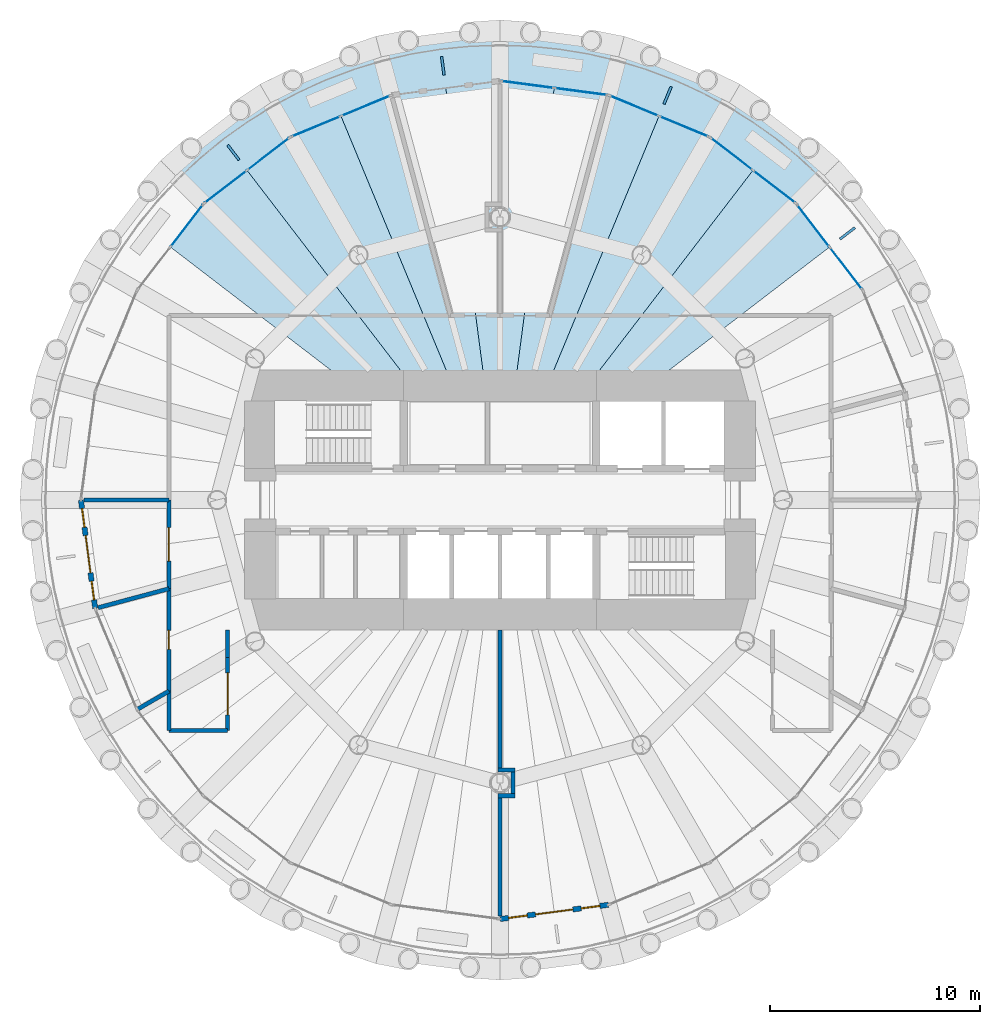
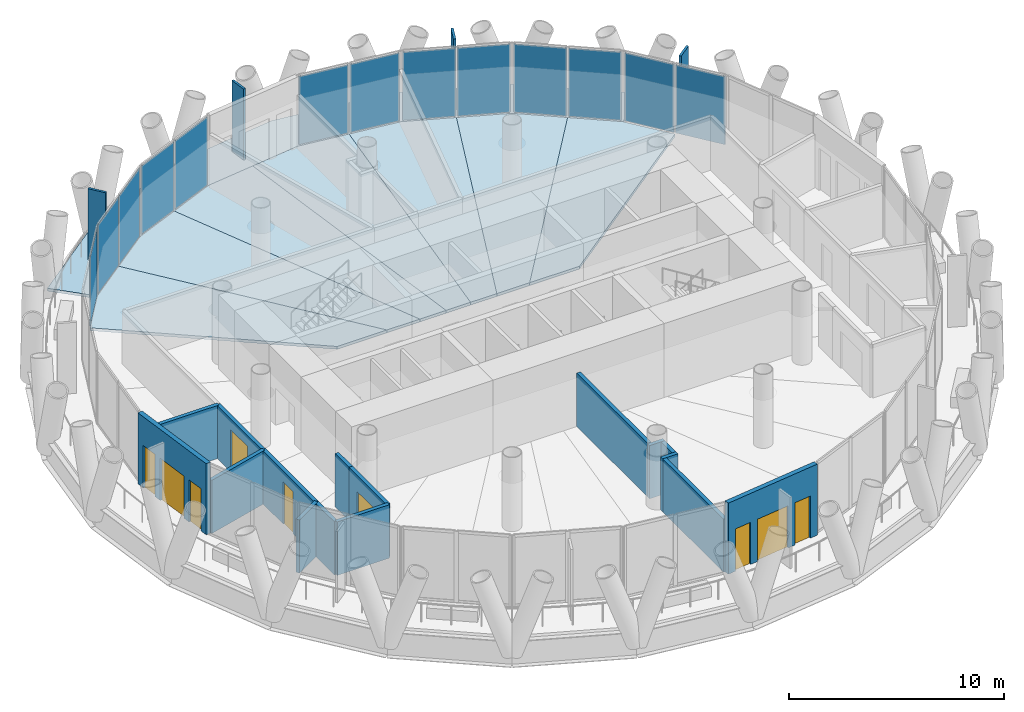
# One storey, part 8 of 13: 17 plates, 16 walls, 8 slabs, 5 doors, 4 windows, 9 openings, 7 elements without a shape of their own.
"""IFC4 building model written with IfcOpenShell, lengths in metres."""

from ifc_helpers import new_model, si_unit, direction, frame, frame_2d, origin, origin_2d, place, context, subcontext, project, spatial, polyline, rectangle, outline, extrude, material, layer, layer_set, type_object, element, fill, aggregate, save


model = new_model("IFC4")

# Units and contexts
model_context = context("Model", 3, precision=1e-05, world=origin(), true_north=direction((0.0, 1.0)))
body_context = subcontext(model_context, "Body", "Model", "MODEL_VIEW")
ifc_project = project(units=[si_unit("LENGTHUNIT", "METRE"), si_unit("AREAUNIT", "SQUARE_METRE"), si_unit("VOLUMEUNIT", "CUBIC_METRE"), si_unit("PLANEANGLEUNIT", "RADIAN"), si_unit("MASSUNIT", "GRAM", prefix="KILO")], contexts=[model_context])

# Site, building, storey
site_placement = place(None, origin())
site = spatial("IfcSite", under=ifc_project, at=site_placement, CompositionType="ELEMENT")
building_placement = place(site_placement, origin())
building = spatial("IfcBuilding", under=site, at=building_placement, Name="Qaws Media Tower", CompositionType="ELEMENT")
storey_placement = place(building_placement, frame((0.0, 0.0, 244.39990234375)))
storey = spatial("IfcBuildingStorey", under=building, at=storey_placement, Name="L56", CompositionType="ELEMENT", Elevation=244.39990234375)

# Slabs
ifc_material_1 = material(Name="Concrete C35/45", Category="concrete")
ifc_layer_1 = layer(ifc_material_1, 0.159912109375)
ifc_layer_set_1 = layer_set([ifc_layer_1], Name="Composite balcony slab 160")
slab_type_1 = type_object("IfcSlabType", Name="Composite balcony slab 160", PredefinedType="FLOOR", material=ifc_layer_set_1)
slab_1_placement = place(storey_placement, frame((0.0, 0.0, -0.159912109375)))
element("IfcSlab", 1, at=slab_1_placement, inside=storey, type_object=slab_type_1, Name="S2 balcony slab L56 R04 to R10, movement joints on R04 and R10", PredefinedType="FLOOR", context=body_context, shape_type="SweptSolid", body=[
    extrude(outline(polyline([(48.800048828125, 69.39892578125), (54.202392578125, 71.63671875), (60.0, 72.39990234375), (65.797607421875, 71.63671875), (71.199951171875, 69.39892578125), (75.839111328125, 65.839111328125), (74.14208984375, 64.14208984375), (70.0, 67.320556640625), (65.176513671875, 69.318603515625), (60.0, 70.0), (54.823486328125, 69.318603515625), (50.0, 67.320556640625), (45.85791015625, 64.14208984375), (44.160888671875, 65.839111328125), (48.800048828125, 69.39892578125)])), origin(), (0.0, 0.0, 1.0), 0.159912109375),
])
ifc_material_2 = material(Name="Concrete C35/45", Category="concrete")
ifc_layer_2 = layer(ifc_material_2, 0.159912109375)
ifc_layer_set_2 = layer_set([ifc_layer_2], Name="Composite floor slab 160")
slab_type_2 = type_object("IfcSlabType", Name="Composite floor slab 160", PredefinedType="FLOOR", material=ifc_layer_set_2)
slab_2_placement = place(storey_placement, frame((0.0, 0.0, -0.159912109375)))
element("IfcSlab", 2, at=slab_2_placement, inside=storey, type_object=slab_type_2, Name="S1 floor panel L56 on R04", PredefinedType="FLOOR", context=body_context, shape_type="SweptSolid", body=[
    extrude(outline(polyline([(74.14208984375, 64.14208984375), (75.731201171875, 62.071044921875), (66.51611328125, 55.0), (63.836669921875, 55.0), (72.071044921875, 65.731201171875), (74.14208984375, 64.14208984375)])), origin(), (0.0, 0.0, 1.0), 0.159912109375),
])
slab_3_placement = place(storey_placement, frame((0.0, 0.0, -0.159912109375)))
element("IfcSlab", 3, at=slab_3_placement, inside=storey, type_object=slab_type_2, Name="S1 floor panel L56 on R05", PredefinedType="FLOOR", context=body_context, shape_type="SweptSolid", body=[
    extrude(outline(polyline([(70.0, 67.320556640625), (72.071044921875, 65.731201171875), (63.836669921875, 55.0), (62.071044921875, 55.0), (67.588134765625, 68.319580078125), (70.0, 67.320556640625)])), origin(), (0.0, 0.0, 1.0), 0.159912109375),
])
slab_4_placement = place(storey_placement, frame((0.0, 0.0, -0.159912109375)))
element("IfcSlab", 4, at=slab_4_placement, inside=storey, type_object=slab_type_2, Name="S1 floor panel L56 on R06", PredefinedType="FLOOR", context=body_context, shape_type="SweptSolid", body=[
    extrude(outline(polyline([(65.176513671875, 69.318603515625), (67.588134765625, 68.319580078125), (62.071044921875, 55.0), (60.658203125, 55.0), (62.588134765625, 69.6591796875), (65.176513671875, 69.318603515625)])), origin(), (0.0, 0.0, 1.0), 0.159912109375),
])
slab_5_placement = place(storey_placement, frame((0.0, 0.0, -0.159912109375)))
element("IfcSlab", 5, at=slab_5_placement, inside=storey, type_object=slab_type_2, Name="S1 floor panel L56 on R07", PredefinedType="FLOOR", context=body_context, shape_type="SweptSolid", body=[
    extrude(outline(polyline([(60.0, 70.0), (62.588134765625, 69.6591796875), (60.658203125, 55.0), (59.341796875, 55.0), (57.411865234375, 69.6591796875), (60.0, 70.0)])), origin(), (0.0, 0.0, 1.0), 0.159912109375),
])
slab_6_placement = place(storey_placement, frame((0.0, 0.0, -0.159912109375)))
element("IfcSlab", 6, at=slab_6_placement, inside=storey, type_object=slab_type_2, Name="S1 floor panel L56 on R08", PredefinedType="FLOOR", context=body_context, shape_type="SweptSolid", body=[
    extrude(outline(polyline([(54.823486328125, 69.318603515625), (57.411865234375, 69.6591796875), (59.341796875, 55.0), (57.928955078125, 55.0), (52.411865234375, 68.319580078125), (54.823486328125, 69.318603515625)])), origin(), (0.0, 0.0, 1.0), 0.159912109375),
])
slab_7_placement = place(storey_placement, frame((0.0, 0.0, -0.159912109375)))
element("IfcSlab", 7, at=slab_7_placement, inside=storey, type_object=slab_type_2, Name="S1 floor panel L56 on R09", PredefinedType="FLOOR", context=body_context, shape_type="SweptSolid", body=[
    extrude(outline(polyline([(50.0, 67.320556640625), (52.411865234375, 68.319580078125), (57.928955078125, 55.0), (56.163330078125, 55.0), (47.928955078125, 65.731201171875), (50.0, 67.320556640625)])), origin(), (0.0, 0.0, 1.0), 0.159912109375),
])
slab_8_placement = place(storey_placement, frame((0.0, 0.0, -0.159912109375)))
element("IfcSlab", 8, at=slab_8_placement, inside=storey, type_object=slab_type_2, Name="S1 floor panel L56 on R10", PredefinedType="FLOOR", context=body_context, shape_type="SweptSolid", body=[
    extrude(outline(polyline([(45.85791015625, 64.14208984375), (47.928955078125, 65.731201171875), (56.163330078125, 55.0), (53.48388671875, 55.0), (44.268798828125, 62.071044921875), (45.85791015625, 64.14208984375)])), origin(), (0.0, 0.0, 1.0), 0.159912109375),
])

# Curtain wall, plates
ifc_material_3 = material(Name="Aluminium and clear glass", Category="aluminium")
curtain_wall_type = type_object("IfcCurtainWallType", Name="Unitised curtain wall CW-C", PredefinedType="NOTDEFINED", material=ifc_material_3)
curtain_wall_1_placement = place(storey_placement, origin())
curtain_wall_1 = element("IfcCurtainWall", 9, at=curtain_wall_1_placement, inside=storey, type_object=curtain_wall_type, Name="CWC curtain wall L56-03", PredefinedType="NOTDEFINED")
ifc_material_4 = material(Name="Clear laminated double glazing", Category="glass")
ifc_layer_3 = layer(ifc_material_4, 0.031982421875)
ifc_layer_set_3 = layer_set([ifc_layer_3], Name="Curtain wall glass unit 32")
plate_type_1 = type_object("IfcPlateType", Name="Curtain wall glass unit 32", PredefinedType="CURTAIN_PANEL", material=ifc_layer_set_3)
plate_1_placement = place(storey_placement, frame((76.513671875, 61.051513671875, 0.080078125), z_axis=(0.0, 0.0, 1.0), x_axis=(-0.608761339712, 0.793353408811, 0.0)))
plate_1 = element("IfcPlate", 10, at=plate_1_placement, type_object=plate_type_1, Name="CWC panel 1.1", PredefinedType="CURTAIN_PANEL", context=body_context, shape_type="SweptSolid", body=[
    extrude(rectangle(XDim=2.490478515625, YDim=0.031982421875, at=origin_2d()), origin(), (0.0, 0.0, 1.0), 3.8798828125),
])
plate_2_placement = place(storey_placement, frame((74.948974609375, 63.0908203125, 0.080078125), z_axis=(0.0, 0.0, 1.0), x_axis=(-0.608761339712, 0.793353408811, 0.0)))
plate_2 = element("IfcPlate", 11, at=plate_2_placement, type_object=plate_type_1, Name="CWC panel 2.1", PredefinedType="CURTAIN_PANEL", context=body_context, shape_type="SweptSolid", body=[
    extrude(rectangle(XDim=2.490478515625, YDim=0.031982421875, at=origin_2d()), origin(), (0.0, 0.0, 1.0), 3.8798828125),
])
aggregate(curtain_wall_1, [plate_1, plate_2])

curtain_wall_2_placement = place(storey_placement, origin())
curtain_wall_2 = element("IfcCurtainWall", 12, at=curtain_wall_2_placement, inside=storey, type_object=curtain_wall_type, Name="CWC curtain wall L56-04", PredefinedType="NOTDEFINED")
plate_3_placement = place(storey_placement, frame((73.0908203125, 64.948974609375, 0.080078125), z_axis=(0.0, 0.0, 1.0), x_axis=(-0.793353408811, 0.608761339712, 0.0)))
plate_3 = element("IfcPlate", 13, at=plate_3_placement, type_object=plate_type_1, Name="CWC panel 1.1", PredefinedType="CURTAIN_PANEL", context=body_context, shape_type="SweptSolid", body=[
    extrude(rectangle(XDim=2.490478515625, YDim=0.031982421875, at=origin_2d()), origin(), (0.0, 0.0, 1.0), 3.8798828125),
])
plate_4_placement = place(storey_placement, frame((71.051513671875, 66.513671875, 0.080078125), z_axis=(0.0, 0.0, 1.0), x_axis=(-0.793353408811, 0.608761339712, 0.0)))
plate_4 = element("IfcPlate", 14, at=plate_4_placement, type_object=plate_type_1, Name="CWC panel 2.1", PredefinedType="CURTAIN_PANEL", context=body_context, shape_type="SweptSolid", body=[
    extrude(rectangle(XDim=2.490478515625, YDim=0.031982421875, at=origin_2d()), origin(), (0.0, 0.0, 1.0), 3.8798828125),
])
aggregate(curtain_wall_2, [plate_3, plate_4])

curtain_wall_3_placement = place(storey_placement, origin())
curtain_wall_3 = element("IfcCurtainWall", 15, at=curtain_wall_3_placement, inside=storey, type_object=curtain_wall_type, Name="CWC curtain wall L56-05", PredefinedType="NOTDEFINED")
plate_5_placement = place(storey_placement, frame((68.775634765625, 67.82763671875, 0.080078125), z_axis=(0.0, 0.0, 1.0), x_axis=(-0.923879492524, 0.382683528904, 0.0)))
plate_5 = element("IfcPlate", 16, at=plate_5_placement, type_object=plate_type_1, Name="CWC panel 1.1", PredefinedType="CURTAIN_PANEL", context=body_context, shape_type="SweptSolid", body=[
    extrude(rectangle(XDim=2.490478515625, YDim=0.031982421875, at=origin_2d()), origin(), (0.0, 0.0, 1.0), 3.8798828125),
])
plate_6_placement = place(storey_placement, frame((66.40087890625, 68.811279296875, 0.080078125), z_axis=(0.0, 0.0, 1.0), x_axis=(-0.923879492524, 0.382683528904, 0.0)))
plate_6 = element("IfcPlate", 17, at=plate_6_placement, type_object=plate_type_1, Name="CWC panel 2.1", PredefinedType="CURTAIN_PANEL", context=body_context, shape_type="SweptSolid", body=[
    extrude(rectangle(XDim=2.490478515625, YDim=0.031982421875, at=origin_2d()), origin(), (0.0, 0.0, 1.0), 3.8798828125),
])
aggregate(curtain_wall_3, [plate_5, plate_6])

curtain_wall_4_placement = place(storey_placement, origin())
curtain_wall_4 = element("IfcCurtainWall", 18, at=curtain_wall_4_placement, inside=storey, type_object=curtain_wall_type, Name="CWC curtain wall L56-06", PredefinedType="NOTDEFINED")
plate_7_placement = place(storey_placement, frame((63.862548828125, 69.491455078125, 0.080078125), z_axis=(0.0, 0.0, 1.0), x_axis=(-0.991444873448, 0.130526100509, 0.0)))
plate_7 = element("IfcPlate", 19, at=plate_7_placement, type_object=plate_type_1, Name="CWC panel 1.1", PredefinedType="CURTAIN_PANEL", context=body_context, shape_type="SweptSolid", body=[
    extrude(rectangle(XDim=2.490478515625, YDim=0.031982421875, at=origin_2d()), origin(), (0.0, 0.0, 1.0), 3.8798828125),
])
plate_8_placement = place(storey_placement, frame((61.31396484375, 69.826904296875, 0.080078125), z_axis=(0.0, 0.0, 1.0), x_axis=(-0.991444873448, 0.130526100509, 0.0)))
plate_8 = element("IfcPlate", 20, at=plate_8_placement, type_object=plate_type_1, Name="CWC panel 2.1", PredefinedType="CURTAIN_PANEL", context=body_context, shape_type="SweptSolid", body=[
    extrude(rectangle(XDim=2.490478515625, YDim=0.031982421875, at=origin_2d()), origin(), (0.0, 0.0, 1.0), 3.8798828125),
])
aggregate(curtain_wall_4, [plate_7, plate_8])

curtain_wall_5_placement = place(storey_placement, origin())
curtain_wall_5 = element("IfcCurtainWall", 21, at=curtain_wall_5_placement, inside=storey, type_object=curtain_wall_type, Name="CWC curtain wall L56-08", PredefinedType="NOTDEFINED")
plate_9_placement = place(storey_placement, frame((53.59912109375, 68.811279296875, 0.080078125), z_axis=(0.0, 0.0, 1.0), x_axis=(-0.923879492524, -0.382683528904, 0.0)))
plate_9 = element("IfcPlate", 22, at=plate_9_placement, type_object=plate_type_1, Name="CWC panel 1.1", PredefinedType="CURTAIN_PANEL", context=body_context, shape_type="SweptSolid", body=[
    extrude(rectangle(XDim=2.490478515625, YDim=0.031982421875, at=origin_2d()), origin(), (0.0, 0.0, 1.0), 3.8798828125),
])
plate_10_placement = place(storey_placement, frame((51.224365234375, 67.82763671875, 0.080078125), z_axis=(0.0, 0.0, 1.0), x_axis=(-0.923879492524, -0.382683528904, 0.0)))
plate_10 = element("IfcPlate", 23, at=plate_10_placement, type_object=plate_type_1, Name="CWC panel 2.1", PredefinedType="CURTAIN_PANEL", context=body_context, shape_type="SweptSolid", body=[
    extrude(rectangle(XDim=2.490478515625, YDim=0.031982421875, at=origin_2d()), origin(), (0.0, 0.0, 1.0), 3.8798828125),
])
aggregate(curtain_wall_5, [plate_9, plate_10])

curtain_wall_6_placement = place(storey_placement, origin())
curtain_wall_6 = element("IfcCurtainWall", 24, at=curtain_wall_6_placement, inside=storey, type_object=curtain_wall_type, Name="CWC curtain wall L56-09", PredefinedType="NOTDEFINED")
plate_11_placement = place(storey_placement, frame((48.948486328125, 66.513671875, 0.080078125), z_axis=(0.0, 0.0, 1.0), x_axis=(-0.793353408811, -0.608761339712, 0.0)))
plate_11 = element("IfcPlate", 25, at=plate_11_placement, type_object=plate_type_1, Name="CWC panel 1.1", PredefinedType="CURTAIN_PANEL", context=body_context, shape_type="SweptSolid", body=[
    extrude(rectangle(XDim=2.490478515625, YDim=0.031982421875, at=origin_2d()), origin(), (0.0, 0.0, 1.0), 3.8798828125),
])
plate_12_placement = place(storey_placement, frame((46.9091796875, 64.948974609375, 0.080078125), z_axis=(0.0, 0.0, 1.0), x_axis=(-0.793353408811, -0.608761339712, 0.0)))
plate_12 = element("IfcPlate", 26, at=plate_12_placement, type_object=plate_type_1, Name="CWC panel 2.1", PredefinedType="CURTAIN_PANEL", context=body_context, shape_type="SweptSolid", body=[
    extrude(rectangle(XDim=2.490478515625, YDim=0.031982421875, at=origin_2d()), origin(), (0.0, 0.0, 1.0), 3.8798828125),
])
aggregate(curtain_wall_6, [plate_11, plate_12])

# Curtain wall, plate
curtain_wall_7_placement = place(storey_placement, origin())
curtain_wall_7 = element("IfcCurtainWall", 27, at=curtain_wall_7_placement, inside=storey, type_object=curtain_wall_type, Name="CWC curtain wall L56-10", PredefinedType="NOTDEFINED")
plate_13_placement = place(storey_placement, frame((45.051025390625, 63.0908203125, 0.080078125), z_axis=(0.0, 0.0, 1.0), x_axis=(-0.608761339712, -0.793353408811, 0.0)))
plate_13 = element("IfcPlate", 28, at=plate_13_placement, type_object=plate_type_1, Name="CWC panel 1.1", PredefinedType="CURTAIN_PANEL", context=body_context, shape_type="SweptSolid", body=[
    extrude(rectangle(XDim=2.490478515625, YDim=0.031982421875, at=origin_2d()), origin(), (0.0, 0.0, 1.0), 3.8798828125),
])
aggregate(curtain_wall_7, [plate_13])

# Plates
ifc_material_5 = material(Name="Precast concrete screen fin", Category="concrete")
ifc_layer_4 = layer(ifc_material_5, 0.1201171875)
ifc_layer_set_4 = layer_set([ifc_layer_4], Name="Screen fin 120x900")
plate_type_2 = type_object("IfcPlateType", Name="Screen fin 120x900", PredefinedType="USERDEFINED", material=ifc_layer_set_4)
for number, where, z_axis, x_axis, name in (
    (29, (76.5810546875, 62.72314453125, 0.0), (0.0, 0.0, 1.0), (0.793353340291, 0.608761429009, 0.0), "SCR1 screen fin L56-02"),
    (30, (67.998046875, 69.30908203125, 0.0), (0.0, 0.0, 1.0), (0.382683432365, 0.923879532511, 0.0), "SCR1 screen fin L56-03"),
    (31, (57.27197265625, 70.72119140625, 0.0), (0.0, 0.0, 1.0), (-0.13052619222, 0.991444861374, 0.0), "SCR1 screen fin L56-04"),
    (32, (47.27685546875, 66.5810546875, 0.0), (0.0, 0.0, 1.0), (-0.608761429009, 0.793353340291, 0.0), "SCR1 screen fin L56-05"),
):
    element("IfcPlate", number, at=place(storey_placement, frame(where, z_axis=z_axis, x_axis=x_axis)), inside=storey, type_object=plate_type_2, Name=name, ObjectType="SCREEN", PredefinedType="USERDEFINED", context=body_context, shape_type="SweptSolid", body=[
        extrude(rectangle(XDim=0.89990234375, YDim=0.1201171875, at=origin_2d()), origin(), (0.0, 0.0, 1.0), 4.0400390625),
    ])

# Wall, openings, door, windows
ifc_material_6 = material(Name="Precast concrete, exposed finish", Category="concrete")
ifc_layer_5 = layer(ifc_material_6, 0.25)
ifc_layer_set_5 = layer_set([ifc_layer_5], Name="Balcony door wall 250")
wall_type_1 = type_object("IfcWallType", Name="Balcony door wall 250", PredefinedType="SOLIDWALL", material=ifc_layer_set_5)
wall_1_placement = place(storey_placement, frame((40.0, 50.0, 0.0), z_axis=(0.0, 0.0, 1.0), x_axis=(0.130512574825, -0.991446654043, 0.0)))
wall_1 = element("IfcWall", 33, at=wall_1_placement, inside=storey, type_object=wall_type_1, Name="W260 EW1 balcony door wall L56-13", PredefinedType="SOLIDWALL", context=body_context, shape_type="SweptSolid", body=[
    extrude(rectangle(XDim=5.220947265625, YDim=0.25, at=frame_2d((2.6103515625, 0.0))), origin(), (0.0, 0.0, 1.0), 4.0400390625),
])
opening_1_placement = place(wall_1_placement, frame((1.71044921875, 0.0, 0.0)))
opening_1 = element("IfcOpeningElement", 34, at=opening_1_placement, cuts=wall_1, Name="Opening D7", PredefinedType="OPENING", context=body_context, shape_type="SweptSolid", body=[
    extrude(rectangle(XDim=1.800048828125, YDim=2.39990234375, at=frame_2d((0.89990234375, 1.199951171875))), frame((0.0, 0.135009765625, 0.0), z_axis=(0.0, -1.0, 0.0), x_axis=(1.0, 0.0, 0.0)), (0.0, 0.0, 1.0), 0.27001953125),
])
opening_2_placement = place(wall_1_placement, frame((0.41064453125, 0.0, 0.0)))
opening_2 = element("IfcOpeningElement", 35, at=opening_2_placement, cuts=wall_1, Name="Opening W7", PredefinedType="OPENING", context=body_context, shape_type="SweptSolid", body=[
    extrude(rectangle(XDim=0.89990234375, YDim=2.39990234375, at=frame_2d((0.449951171875, 1.199951171875))), frame((0.0, 0.135009765625, 0.0), z_axis=(0.0, -1.0, 0.0), x_axis=(1.0, 0.0, 0.0)), (0.0, 0.0, 1.0), 0.27001953125),
])
opening_3_placement = place(wall_1_placement, frame((3.91064453125, 0.0, 0.0)))
opening_3 = element("IfcOpeningElement", 36, at=opening_3_placement, cuts=wall_1, Name="Opening W7", PredefinedType="OPENING", context=body_context, shape_type="SweptSolid", body=[
    extrude(rectangle(XDim=0.89990234375, YDim=2.39990234375, at=frame_2d((0.449951171875, 1.199951171875))), frame((0.0, 0.135009765625, 0.0), z_axis=(0.0, -1.0, 0.0), x_axis=(1.0, 0.0, 0.0)), (0.0, 0.0, 1.0), 0.27001953125),
])
ifc_material_7 = material(Name="Aluminium and clear glass", Category="aluminium")
door_type_1 = type_object("IfcDoorType", Name="Balcony door pair 1800", OperationType="DOUBLE_DOOR_SLIDING", PredefinedType="DOOR", material=ifc_material_7)
door_1_placement = place(opening_1_placement, origin())
door_1 = element("IfcDoor", 37, at=door_1_placement, inside=storey, type_object=door_type_1, Name="D7 balcony door L56-13 in wall W260", OperationType="DOUBLE_DOOR_SLIDING", OverallHeight=2.39990234375, OverallWidth=1.800048828125, PredefinedType="DOOR", context=body_context, shape_type="SweptSolid", body=[
    extrude(rectangle(XDim=1.800048828125, YDim=2.39990234375, at=frame_2d((0.89990234375, 1.199951171875))), frame((0.0, 0.02490234375, 0.0), z_axis=(0.0, -1.0, 0.0), x_axis=(1.0, 0.0, 0.0)), (0.0, 0.0, 1.0), 0.050048828125),
])
fill(opening_1, door_1)
ifc_material_8 = material(Name="Aluminium and clear glass", Category="aluminium")
window_type = type_object("IfcWindowType", Name="Balcony side window 900", PartitioningType="SINGLE_PANEL", PredefinedType="WINDOW", material=ifc_material_8)
window_1_placement = place(opening_2_placement, origin())
window_1 = element("IfcWindow", 38, at=window_1_placement, inside=storey, type_object=window_type, Name="W1 balcony side light L56-13L", OverallHeight=2.39990234375, OverallWidth=0.89990234375, PartitioningType="SINGLE_PANEL", PredefinedType="WINDOW", context=body_context, shape_type="SweptSolid", body=[
    extrude(rectangle(XDim=0.89990234375, YDim=2.39990234375, at=frame_2d((0.449951171875, 1.199951171875))), frame((0.0, 0.030029296875, 0.0), z_axis=(0.0, -1.0, 0.0), x_axis=(1.0, 0.0, 0.0)), (0.0, 0.0, 1.0), 0.06005859375),
])
fill(opening_2, window_1)
window_2_placement = place(opening_3_placement, origin())
window_2 = element("IfcWindow", 39, at=window_2_placement, inside=storey, type_object=window_type, Name="W1 balcony side light L56-13R", OverallHeight=2.39990234375, OverallWidth=0.89990234375, PartitioningType="SINGLE_PANEL", PredefinedType="WINDOW", context=body_context, shape_type="SweptSolid", body=[
    extrude(rectangle(XDim=0.89990234375, YDim=2.39990234375, at=frame_2d((0.449951171875, 1.199951171875))), frame((0.0, 0.030029296875, 0.0), z_axis=(0.0, -1.0, 0.0), x_axis=(1.0, 0.0, 0.0)), (0.0, 0.0, 1.0), 0.06005859375),
])
fill(opening_3, window_2)

wall_2_placement = place(storey_placement, frame((60.0, 30.0, 0.0), z_axis=(0.0, 0.0, 1.0), x_axis=(0.991446654043, 0.130512574825, 0.0)))
wall_2 = element("IfcWall", 40, at=wall_2_placement, inside=storey, type_object=wall_type_1, Name="W261 EW1 balcony door wall L56-19", PredefinedType="SOLIDWALL", context=body_context, shape_type="SweptSolid", body=[
    extrude(rectangle(XDim=5.220947265625, YDim=0.25, at=frame_2d((2.6103515625, 0.0))), origin(), (0.0, 0.0, 1.0), 4.0400390625),
])
opening_4_placement = place(wall_2_placement, frame((1.71044921875, 0.0, 0.0)))
opening_4 = element("IfcOpeningElement", 41, at=opening_4_placement, cuts=wall_2, Name="Opening D7", PredefinedType="OPENING", context=body_context, shape_type="SweptSolid", body=[
    extrude(rectangle(XDim=1.800048828125, YDim=2.39990234375, at=frame_2d((0.89990234375, 1.199951171875))), frame((0.0, 0.135009765625, 0.0), z_axis=(0.0, -1.0, 0.0), x_axis=(1.0, 0.0, 0.0)), (0.0, 0.0, 1.0), 0.27001953125),
])
opening_5_placement = place(wall_2_placement, frame((0.41064453125, 0.0, 0.0)))
opening_5 = element("IfcOpeningElement", 42, at=opening_5_placement, cuts=wall_2, Name="Opening W7", PredefinedType="OPENING", context=body_context, shape_type="SweptSolid", body=[
    extrude(rectangle(XDim=0.89990234375, YDim=2.39990234375, at=frame_2d((0.449951171875, 1.199951171875))), frame((0.0, 0.135009765625, 0.0), z_axis=(0.0, -1.0, 0.0), x_axis=(1.0, 0.0, 0.0)), (0.0, 0.0, 1.0), 0.27001953125),
])
opening_6_placement = place(wall_2_placement, frame((3.91064453125, 0.0, 0.0)))
opening_6 = element("IfcOpeningElement", 43, at=opening_6_placement, cuts=wall_2, Name="Opening W7", PredefinedType="OPENING", context=body_context, shape_type="SweptSolid", body=[
    extrude(rectangle(XDim=0.89990234375, YDim=2.39990234375, at=frame_2d((0.449951171875, 1.199951171875))), frame((0.0, 0.135009765625, 0.0), z_axis=(0.0, -1.0, 0.0), x_axis=(1.0, 0.0, 0.0)), (0.0, 0.0, 1.0), 0.27001953125),
])
door_2_placement = place(opening_4_placement, origin())
door_2 = element("IfcDoor", 44, at=door_2_placement, inside=storey, type_object=door_type_1, Name="D7 balcony door L56-19 in wall W261", OperationType="DOUBLE_DOOR_SLIDING", OverallHeight=2.39990234375, OverallWidth=1.800048828125, PredefinedType="DOOR", context=body_context, shape_type="SweptSolid", body=[
    extrude(rectangle(XDim=1.800048828125, YDim=2.39990234375, at=frame_2d((0.89990234375, 1.199951171875))), frame((0.0, 0.02490234375, 0.0), z_axis=(0.0, -1.0, 0.0), x_axis=(1.0, 0.0, 0.0)), (0.0, 0.0, 1.0), 0.050048828125),
])
fill(opening_4, door_2)
window_3_placement = place(opening_5_placement, origin())
window_3 = element("IfcWindow", 45, at=window_3_placement, inside=storey, type_object=window_type, Name="W1 balcony side light L56-19L", OverallHeight=2.39990234375, OverallWidth=0.89990234375, PartitioningType="SINGLE_PANEL", PredefinedType="WINDOW", context=body_context, shape_type="SweptSolid", body=[
    extrude(rectangle(XDim=0.89990234375, YDim=2.39990234375, at=frame_2d((0.449951171875, 1.199951171875))), frame((0.0, 0.030029296875, 0.0), z_axis=(0.0, -1.0, 0.0), x_axis=(1.0, 0.0, 0.0)), (0.0, 0.0, 1.0), 0.06005859375),
])
fill(opening_5, window_3)
window_4_placement = place(opening_6_placement, origin())
window_4 = element("IfcWindow", 46, at=window_4_placement, inside=storey, type_object=window_type, Name="W1 balcony side light L56-19R", OverallHeight=2.39990234375, OverallWidth=0.89990234375, PartitioningType="SINGLE_PANEL", PredefinedType="WINDOW", context=body_context, shape_type="SweptSolid", body=[
    extrude(rectangle(XDim=0.89990234375, YDim=2.39990234375, at=frame_2d((0.449951171875, 1.199951171875))), frame((0.0, 0.030029296875, 0.0), z_axis=(0.0, -1.0, 0.0), x_axis=(1.0, 0.0, 0.0)), (0.0, 0.0, 1.0), 0.06005859375),
])
fill(opening_6, window_4)

# Wall
ifc_material_9 = material(Name="Gypsum board on galvanised metal studs, acoustic double stud, deflection head", Category="gypsum")
ifc_layer_6 = layer(ifc_material_9, 0.199951171875)
ifc_layer_set_6 = layer_set([ifc_layer_6], Name="Room partition 200")
wall_type_2 = type_object("IfcWallType", Name="Room partition 200", PredefinedType="PARTITIONING", material=ifc_layer_set_6)
wall_3_placement = place(storey_placement, frame((47.0, 43.800048828125, 0.0), z_axis=(0.0, 0.0, 1.0), x_axis=(0.0, -1.0, 0.0)))
element("IfcWall", 47, at=wall_3_placement, inside=storey, type_object=wall_type_2, Name="W1600 IW3 partition L56", PredefinedType="PARTITIONING", context=body_context, shape_type="SweptSolid", body=[
    extrude(rectangle(XDim=1.3056640625, YDim=0.199951171875, at=frame_2d((0.65283203125, 0.0))), origin(), (0.0, 0.0, 1.0), 3.02001953125),
])

# Wall, opening, door
wall_4_placement = place(storey_placement, frame((47.0, 42.494384765625, 0.0), z_axis=(0.0, 0.0, 1.0), x_axis=(0.0, -1.0, 0.0)))
wall_4 = element("IfcWall", 48, at=wall_4_placement, inside=storey, type_object=wall_type_2, Name="W1599 IW3 partition L56", PredefinedType="PARTITIONING", context=body_context, shape_type="SweptSolid", body=[
    extrude(rectangle(XDim=3.494384765625, YDim=0.199951171875, at=frame_2d((1.7470703125, 0.0))), origin(), (0.0, 0.0, 1.0), 3.02001953125),
])
opening_7_placement = place(wall_4_placement, frame((0.747314453125, 0.0, 0.0)))
opening_7 = element("IfcOpeningElement", 49, at=opening_7_placement, cuts=wall_4, Name="Opening D6", PredefinedType="OPENING", context=body_context, shape_type="SweptSolid", body=[
    extrude(rectangle(XDim=2.0, YDim=2.10009765625, at=frame_2d((1.0, 1.050048828125))), frame((0.0, 0.10986328125, 0.0), z_axis=(0.0, -1.0, 0.0), x_axis=(1.0, 0.0, 0.0)), (0.0, 0.0, 1.0), 0.219970703125),
])
ifc_material_10 = material(Name="Steel, acoustic, fire rated", Category="steel")
door_type_2 = type_object("IfcDoorType", Name="Room door pair 2000", OperationType="DOUBLE_DOOR_DOUBLE_SWING", PredefinedType="DOOR", material=ifc_material_10)
door_3_placement = place(opening_7_placement, origin())
door_3 = element("IfcDoor", 50, at=door_3_placement, inside=storey, type_object=door_type_2, Name="D6 Tenant office door L56 in wall W1599", OperationType="DOUBLE_DOOR_DOUBLE_SWING", OverallHeight=2.10009765625, OverallWidth=2.0, PredefinedType="DOOR", context=body_context, shape_type="SweptSolid", body=[
    extrude(rectangle(XDim=2.0, YDim=2.10009765625, at=frame_2d((1.0, 1.050048828125))), frame((0.0, 0.02490234375, 0.0), z_axis=(0.0, -1.0, 0.0), x_axis=(1.0, 0.0, 0.0)), (0.0, 0.0, 1.0), 0.050048828125),
])
fill(opening_7, door_3)

# Walls
wall_5_placement = place(storey_placement, frame((47.0, 39.0, 0.0), z_axis=(0.0, 0.0, 1.0), x_axis=(-1.0, 0.0, 0.0)))
element("IfcWall", 51, at=wall_5_placement, inside=storey, type_object=wall_type_2, Name="W1222 IW3 partition L56", PredefinedType="PARTITIONING", context=body_context, shape_type="SweptSolid", body=[
    extrude(rectangle(XDim=2.800048828125, YDim=0.199951171875, at=frame_2d((1.39990234375, 0.0))), origin(), (0.0, 0.0, 1.0), 3.0400390625),
])
wall_6_placement = place(storey_placement, frame((44.199951171875, 39.0, 0.0), z_axis=(0.0, 0.0, 1.0), x_axis=(0.0, 1.0, 0.0)))
element("IfcWall", 52, at=wall_6_placement, inside=storey, type_object=wall_type_2, Name="W1610 IW3 partition L56", PredefinedType="PARTITIONING", context=body_context, shape_type="SweptSolid", body=[
    extrude(rectangle(XDim=1.8779296875, YDim=0.199951171875, at=frame_2d((0.93896484375, 0.0))), origin(), (0.0, 0.0, 1.0), 3.02001953125),
])

# Wall, opening, door
wall_7_placement = place(storey_placement, frame((44.199951171875, 40.8779296875, 0.0), z_axis=(0.0, 0.0, 1.0), x_axis=(0.0, 1.0, 0.0)))
wall_7 = element("IfcWall", 53, at=wall_7_placement, inside=storey, type_object=wall_type_2, Name="W1645 IW3 partition L56", PredefinedType="PARTITIONING", context=body_context, shape_type="SweptSolid", body=[
    extrude(rectangle(XDim=4.888427734375, YDim=0.199951171875, at=frame_2d((2.4443359375, 0.0))), origin(), (0.0, 0.0, 1.0), 3.02001953125),
])
opening_8_placement = place(wall_7_placement, frame((1.994384765625, 0.0, 0.0)))
opening_8 = element("IfcOpeningElement", 54, at=opening_8_placement, cuts=wall_7, Name="Opening D12", PredefinedType="OPENING", context=body_context, shape_type="SweptSolid", body=[
    extrude(rectangle(XDim=0.89990234375, YDim=2.39990234375, at=frame_2d((0.449951171875, 1.199951171875))), frame((0.0, 0.10986328125, 0.0), z_axis=(0.0, -1.0, 0.0), x_axis=(1.0, 0.0, 0.0)), (0.0, 0.0, 1.0), 0.219970703125),
])
ifc_material_11 = material(Name="Timber veneered, full height", Category="wood")
door_type_3 = type_object("IfcDoorType", Name="Office door 900x2400", OperationType="SINGLE_SWING_LEFT", PredefinedType="DOOR", material=ifc_material_11)
door_4_placement = place(opening_8_placement, origin())
door_4 = element("IfcDoor", 55, at=door_4_placement, inside=storey, type_object=door_type_3, Name="D12 Office door L56 in wall W1645", OperationType="SINGLE_SWING_LEFT", OverallHeight=2.39990234375, OverallWidth=0.89990234375, PredefinedType="DOOR", context=body_context, shape_type="SweptSolid", body=[
    extrude(rectangle(XDim=0.89990234375, YDim=2.39990234375, at=frame_2d((0.449951171875, 1.199951171875))), frame((0.0, 0.02490234375, 0.0), z_axis=(0.0, -1.0, 0.0), x_axis=(1.0, 0.0, 0.0)), (0.0, 0.0, 1.0), 0.050048828125),
])
fill(opening_8, door_4)

wall_8_placement = place(storey_placement, frame((44.199951171875, 45.766357421875, 0.0), z_axis=(0.0, 0.0, 1.0), x_axis=(0.0, 1.0, 0.0)))
wall_8 = element("IfcWall", 56, at=wall_8_placement, inside=storey, type_object=wall_type_2, Name="W1646 IW3 partition L56", PredefinedType="PARTITIONING", context=body_context, shape_type="SweptSolid", body=[
    extrude(rectangle(XDim=4.233642578125, YDim=0.199951171875, at=frame_2d((2.11669921875, 0.0))), origin(), (0.0, 0.0, 1.0), 3.02001953125),
])
opening_9_placement = place(wall_8_placement, frame((1.31689453125, 0.0, 0.0)))
opening_9 = element("IfcOpeningElement", 57, at=opening_9_placement, cuts=wall_8, Name="Opening D16", PredefinedType="OPENING", context=body_context, shape_type="SweptSolid", body=[
    extrude(rectangle(XDim=1.60009765625, YDim=2.39990234375, at=frame_2d((0.800048828125, 1.199951171875))), frame((0.0, 0.10986328125, 0.0), z_axis=(0.0, -1.0, 0.0), x_axis=(1.0, 0.0, 0.0)), (0.0, 0.0, 1.0), 0.219970703125),
])
ifc_material_12 = material(Name="Glazed aluminium, fire rated", Category="aluminium")
door_type_4 = type_object("IfcDoorType", Name="Tenant entrance door pair 1600x2400", OperationType="DOUBLE_DOOR_DOUBLE_SWING", PredefinedType="DOOR", material=ifc_material_12)
door_5_placement = place(opening_9_placement, origin())
door_5 = element("IfcDoor", 58, at=door_5_placement, inside=storey, type_object=door_type_4, Name="D16 Tenant reception door L56 in wall W1646", OperationType="DOUBLE_DOOR_DOUBLE_SWING", OverallHeight=2.39990234375, OverallWidth=1.60009765625, PredefinedType="DOOR", context=body_context, shape_type="SweptSolid", body=[
    extrude(rectangle(XDim=1.60009765625, YDim=2.39990234375, at=frame_2d((0.800048828125, 1.199951171875))), frame((0.0, 0.02490234375, 0.0), z_axis=(0.0, -1.0, 0.0), x_axis=(1.0, 0.0, 0.0)), (0.0, 0.0, 1.0), 0.050048828125),
])
fill(opening_9, door_5)

# Walls
wall_9_placement = place(storey_placement, frame((44.199951171875, 50.0, 0.0), z_axis=(0.0, 0.0, 1.0), x_axis=(-1.0, 0.0, 0.0)))
element("IfcWall", 59, at=wall_9_placement, inside=storey, type_object=wall_type_2, Name="W1668 IW3 partition L56", PredefinedType="PARTITIONING", context=body_context, shape_type="SweptSolid", body=[
    extrude(rectangle(XDim=4.06005859375, YDim=0.199951171875, at=frame_2d((2.030029296875, 0.0))), origin(), (0.0, 0.0, 1.0), 3.02001953125),
])
wall_10_placement = place(storey_placement, frame((44.197509765625, 45.765625, 0.0), z_axis=(0.0, 0.0, 1.0), x_axis=(-0.965935598249, -0.258782572899, 0.0)))
element("IfcWall", 60, at=wall_10_placement, inside=storey, type_object=wall_type_2, Name="W1667 IW3 partition L56", PredefinedType="PARTITIONING", context=body_context, shape_type="SweptSolid", body=[
    extrude(rectangle(XDim=3.5, YDim=0.199951171875, at=frame_2d((1.75, 0.0))), origin(), (0.0, 0.0, 1.0), 3.02001953125),
])
wall_11_placement = place(storey_placement, frame((44.20361328125, 40.8798828125, 0.0), z_axis=(0.0, 0.0, 1.0), x_axis=(-0.866050849587, -0.499955923987, 0.0)))
element("IfcWall", 61, at=wall_11_placement, inside=storey, type_object=wall_type_2, Name="W1669 IW3 partition L56", PredefinedType="PARTITIONING", context=body_context, shape_type="SweptSolid", body=[
    extrude(rectangle(XDim=1.719970703125, YDim=0.199951171875, at=frame_2d((0.85986328125, 0.0))), origin(), (0.0, 0.0, 1.0), 3.02001953125),
])
for number, where, z_axis, x_axis, name in (
    (62, (59.89990234375, 37.116943359375, 0.0), (0.0, 0.0, 1.0), (1.0, 0.0, 0.0), "W1572 IW3 partition return L56"),
    (63, (59.89990234375, 35.883056640625, 0.0), (0.0, 0.0, 1.0), (1.0, 0.0, 0.0), "W1571 IW3 partition return L56"),
):
    element("IfcWall", number, at=place(storey_placement, frame(where, z_axis=z_axis, x_axis=x_axis)), inside=storey, type_object=wall_type_2, Name=name, PredefinedType="PARTITIONING", context=body_context, shape_type="SweptSolid", body=[
        extrude(rectangle(XDim=0.8271484375, YDim=0.199951171875, at=frame_2d((0.41357421875, 0.0))), origin(), (0.0, 0.0, 1.0), 3.02001953125),
    ])
wall_12_placement = place(storey_placement, frame((60.626953125, 37.01708984375, 0.0), z_axis=(0.0, 0.0, 1.0), x_axis=(0.0, -1.0, 0.0)))
element("IfcWall", 64, at=wall_12_placement, inside=storey, type_object=wall_type_2, Name="W1575 IW3 partition return L56", PredefinedType="PARTITIONING", context=body_context, shape_type="SweptSolid", body=[
    extrude(rectangle(XDim=1.0341796875, YDim=0.199951171875, at=frame_2d((0.51708984375, 0.0))), origin(), (0.0, 0.0, 1.0), 3.02001953125),
])
wall_13_placement = place(storey_placement, frame((60.0, 43.800048828125, 0.0), z_axis=(0.0, 0.0, 1.0), x_axis=(0.0, -1.0, 0.0)))
element("IfcWall", 65, at=wall_13_placement, inside=storey, type_object=wall_type_2, Name="W1540 IW3 partition L56", PredefinedType="PARTITIONING", context=body_context, shape_type="SweptSolid", body=[
    extrude(rectangle(XDim=6.5830078125, YDim=0.199951171875, at=frame_2d((3.29150390625, 0.0))), origin(), (0.0, 0.0, 1.0), 3.0400390625),
])
wall_14_placement = place(storey_placement, frame((60.0, 35.782958984375, 0.0), z_axis=(0.0, 0.0, 1.0), x_axis=(0.0, -1.0, 0.0)))
element("IfcWall", 66, at=wall_14_placement, inside=storey, type_object=wall_type_2, Name="W1671 IW3 partition L56", PredefinedType="PARTITIONING", context=body_context, shape_type="SweptSolid", body=[
    extrude(rectangle(XDim=5.64306640625, YDim=0.199951171875, at=frame_2d((2.821533203125, 0.0))), origin(), (0.0, 0.0, 1.0), 3.02001953125),
])

save(model, "model.ifc")
